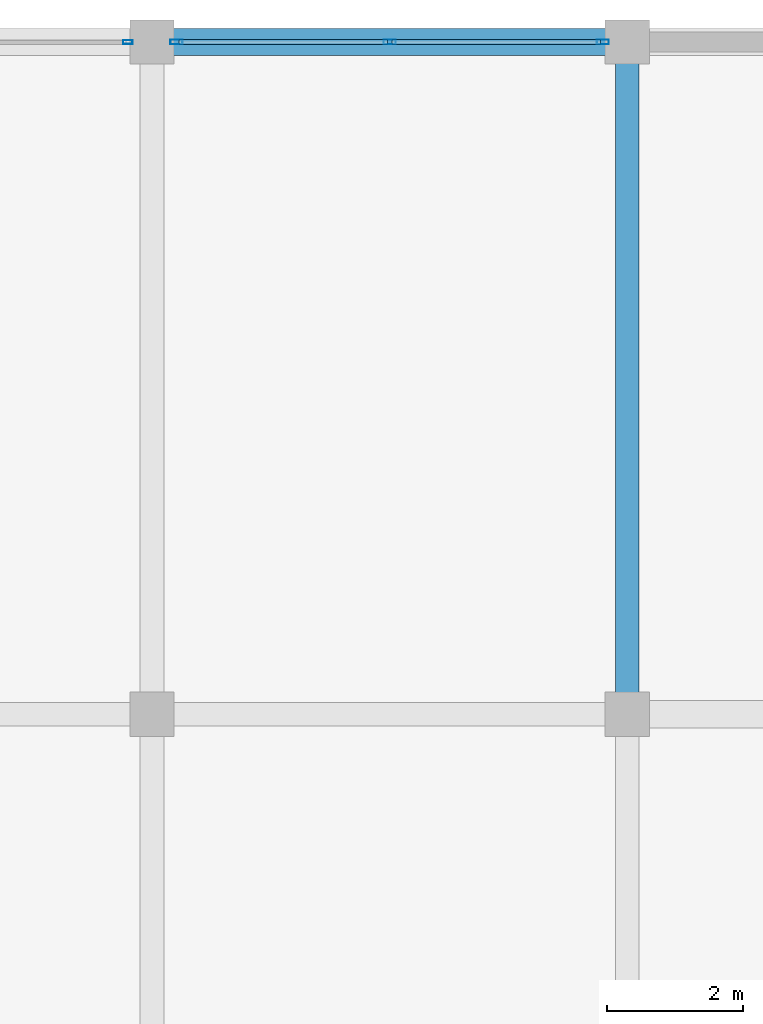
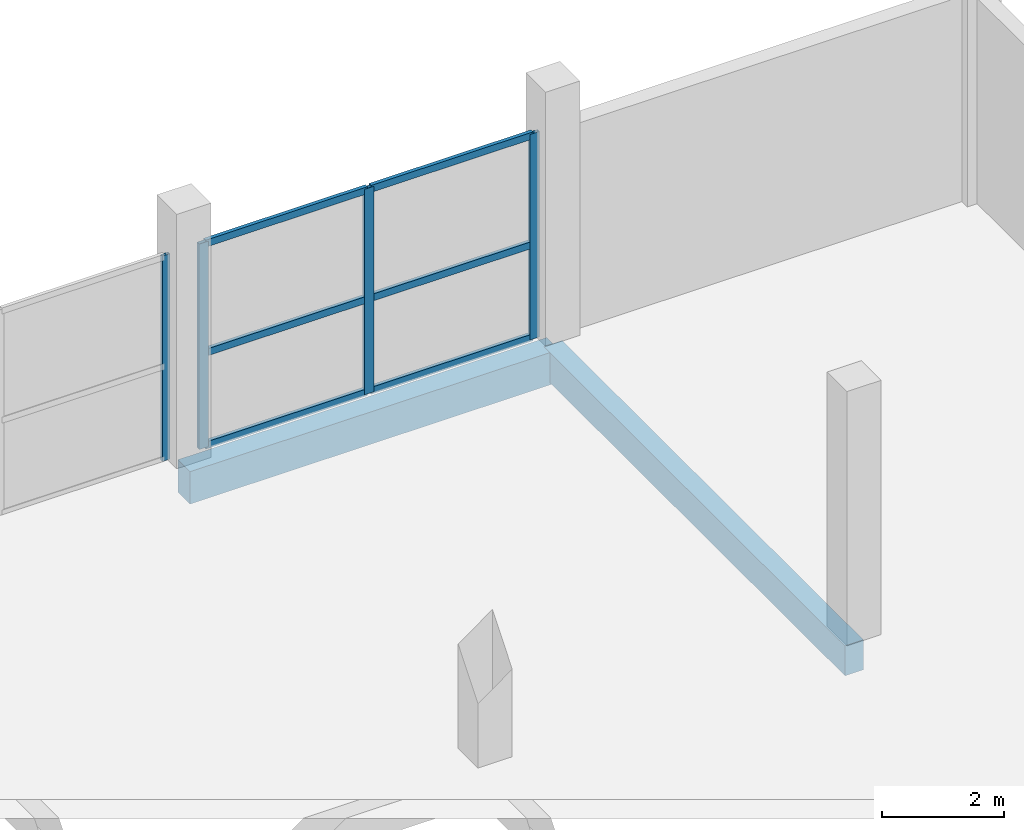
# One storey, part 42 of 66: 10 members, 2 beams, 2 elements without a shape of their own.
"""IFC4 building model written with IfcOpenShell, lengths in metres."""

from ifc_helpers import new_model, si_unit, direction, frame, origin, origin_2d, place, context, subcontext, project, spatial, rectangle, hollow_rectangle, extrude, material, layer, layer_set, material_profile, profile_set, type_object, element, aggregate, save


model = new_model("IFC4")

# Units and contexts
model_context = context("Model", 3, precision=1e-05, world=origin(), true_north=direction((0.0, 1.0)))
body_context = subcontext(model_context, "Body", "Model", "MODEL_VIEW")
ifc_project = project(units=[si_unit("LENGTHUNIT", "METRE"), si_unit("AREAUNIT", "SQUARE_METRE"), si_unit("VOLUMEUNIT", "CUBIC_METRE"), si_unit("PLANEANGLEUNIT", "RADIAN"), si_unit("MASSUNIT", "GRAM", prefix="KILO")], contexts=[model_context])

# Site, building, storey
site_placement = place(None, origin())
site = spatial("IfcSite", under=ifc_project, at=site_placement, CompositionType="ELEMENT")
building_placement = place(site_placement, origin())
building = spatial("IfcBuilding", under=site, at=building_placement, Name="Sillaruma Civic Art Gallery", CompositionType="ELEMENT")
storey_placement = place(building_placement, frame((0.0, 0.0, 57.1201171875)))
storey = spatial("IfcBuildingStorey", under=building, at=storey_placement, Name="L11", CompositionType="ELEMENT", Elevation=57.1201171875)

# Beams
ifc_material_1 = material(Name="Concrete H35 (35 MPa)", Category="concrete")
ifc_material_profile_1 = material_profile(ifc_material_1, rectangle(XDim=0.35009765625, YDim=0.60009765625, at=origin_2d()), Name="RCB350x600")
ifc_profile_set_1 = profile_set([ifc_material_profile_1], Name="Concrete H35 (35 MPa)")
beam_type_1 = type_object("IfcBeamType", Name="BM-BEAM-RCB350x600", PredefinedType="BEAM", material=ifc_profile_set_1)
beam_1_placement = place(storey_placement, frame((84.0, 89.10009765625, -0.550048828125), z_axis=(0.0, 1.0, 0.0), x_axis=(-1.0, 0.0, 0.0)))
element("IfcBeam", 1, at=beam_1_placement, inside=storey, type_object=beam_type_1, Name="Beam BM-06 (L10:J:10-11)", PredefinedType="BEAM", context=body_context, shape_type="SweptSolid", body=[
    extrude(rectangle(XDim=0.35009765625, YDim=0.60009765625, at=origin_2d()), origin(), (0.0, 0.0, 1.0), 9.89990234375),
])
ifc_material_profile_2 = material_profile(ifc_material_1, rectangle(XDim=0.39990234375, YDim=0.64990234375, at=origin_2d()), Name="RCB400x650")
ifc_profile_set_2 = profile_set([ifc_material_profile_2], Name="Concrete H35 (35 MPa)")
beam_type_2 = type_object("IfcBeamType", Name="BM-SPANDREL-RCB400x650", PredefinedType="SPANDREL", material=ifc_profile_set_2)
beam_2_placement = place(storey_placement, frame((77.0, 99.0, -0.5751953125), z_axis=(1.0, 0.0, 0.0), x_axis=(0.0, 1.0, 0.0)))
element("IfcBeam", 2, at=beam_2_placement, inside=storey, type_object=beam_type_2, Name="Beam BS-02 (L10:11:H-J)", PredefinedType="SPANDREL", context=body_context, shape_type="SweptSolid", body=[
    extrude(rectangle(XDim=0.39990234375, YDim=0.64990234375, at=origin_2d()), origin(), (0.0, 0.0, 1.0), 7.0),
])

# Curtain wall, member
ifc_material_2 = material(Name="Thermally Broken Extruded Aluminium 6063-T6", Category="aluminium")
ifc_layer_1 = layer(ifc_material_2, 0.139892578125, Name="Thermally Broken Extruded Aluminium 6063-T6")
ifc_layer_set_1 = layer_set([ifc_layer_1], Name="Thermally Broken Extruded Aluminium 6063-T6")
curtain_wall_type_1 = type_object("IfcCurtainWallType", Name="CW-UNI-76", PredefinedType="NOTDEFINED", material=ifc_layer_set_1)
curtain_wall_1_placement = place(storey_placement, origin())
curtain_wall_1 = element("IfcCurtainWall", 3, at=curtain_wall_1_placement, inside=storey, type_object=curtain_wall_type_1, Name="Unitised Curtain Wall CW-76 (CW-L11-WBN-2)", PredefinedType="NOTDEFINED")
ifc_material_profile_3 = material_profile(ifc_material_2, hollow_rectangle(XDim=0.06005859375, YDim=0.139892578125, WallThickness=0.00341796875, at=origin_2d()), Name="CWM60x140")
ifc_profile_set_3 = profile_set([ifc_material_profile_3], Name="Thermally Broken Extruded Aluminium 6063-T6")
member_type_1 = type_object("IfcMemberType", Name="MEM-MUL-CWM60x140", PredefinedType="MULLION", material=ifc_profile_set_3)
member_1_placement = place(storey_placement, frame((76.64501953125, 99.0, 0.0), z_axis=(0.0, 0.0, 1.0), x_axis=(0.0, 1.0, 0.0)))
member_1 = element("IfcMember", 4, at=member_1_placement, type_object=member_type_1, Name="CW-76 mullion 3", PredefinedType="MULLION", context=body_context, shape_type="SweptSolid", body=[
    extrude(hollow_rectangle(XDim=0.06005859375, YDim=0.139892578125, WallThickness=0.00341796875, at=origin_2d()), origin(), (0.0, 0.0, 1.0), 4.119873046875),
])
aggregate(curtain_wall_1, [member_1])

# Curtain wall, members
ifc_layer_2 = layer(ifc_material_2, 0.179931640625, Name="Thermally Broken Extruded Aluminium 6063-T6")
ifc_layer_set_2 = layer_set([ifc_layer_2], Name="Thermally Broken Extruded Aluminium 6063-T6")
curtain_wall_type_2 = type_object("IfcCurtainWallType", Name="CW-UNI-86", PredefinedType="NOTDEFINED", material=ifc_layer_set_2)
curtain_wall_2_placement = place(storey_placement, origin())
curtain_wall_2 = element("IfcCurtainWall", 5, at=curtain_wall_2_placement, inside=storey, type_object=curtain_wall_type_2, Name="Unitised Curtain Wall CW-86 (CW-L11-WBN-3)", PredefinedType="NOTDEFINED")
ifc_material_profile_4 = material_profile(ifc_material_2, hollow_rectangle(XDim=0.070068359375, YDim=0.179931640625, WallThickness=0.00390625, at=origin_2d()), Name="CWM70x180")
ifc_profile_set_4 = profile_set([ifc_material_profile_4], Name="Thermally Broken Extruded Aluminium 6063-T6")
member_type_2 = type_object("IfcMemberType", Name="MEM-MUL-CWM70x180", PredefinedType="MULLION", material=ifc_profile_set_4)
member_2_placement = place(storey_placement, frame((77.360107421875, 99.0, 0.0), z_axis=(0.0, 0.0, 1.0), x_axis=(0.0, 1.0, 0.0)))
member_2 = element("IfcMember", 6, at=member_2_placement, type_object=member_type_2, Name="CW-86 mullion 1", PredefinedType="MULLION", context=body_context, shape_type="SweptSolid", body=[
    extrude(hollow_rectangle(XDim=0.070068359375, YDim=0.179931640625, WallThickness=0.00390625, at=origin_2d()), origin(), (0.0, 0.0, 1.0), 4.119873046875),
])
member_3_placement = place(storey_placement, frame((80.5, 99.0, 0.0), z_axis=(0.0, 0.0, 1.0), x_axis=(0.0, 1.0, 0.0)))
member_3 = element("IfcMember", 7, at=member_3_placement, type_object=member_type_2, Name="CW-86 mullion 2", PredefinedType="MULLION", context=body_context, shape_type="SweptSolid", body=[
    extrude(hollow_rectangle(XDim=0.070068359375, YDim=0.179931640625, WallThickness=0.00390625, at=origin_2d()), origin(), (0.0, 0.0, 1.0), 4.119873046875),
])
member_4_placement = place(storey_placement, frame((83.639892578125, 99.0, 0.0), z_axis=(0.0, 0.0, 1.0), x_axis=(0.0, 1.0, 0.0)))
member_4 = element("IfcMember", 8, at=member_4_placement, type_object=member_type_2, Name="CW-86 mullion 3", PredefinedType="MULLION", context=body_context, shape_type="SweptSolid", body=[
    extrude(hollow_rectangle(XDim=0.070068359375, YDim=0.179931640625, WallThickness=0.00390625, at=origin_2d()), origin(), (0.0, 0.0, 1.0), 4.119873046875),
])
ifc_material_profile_5 = material_profile(ifc_material_2, hollow_rectangle(XDim=0.070068359375, YDim=0.139892578125, WallThickness=0.00390625, at=origin_2d()), Name="CWT70x140")
ifc_profile_set_5 = profile_set([ifc_material_profile_5], Name="Thermally Broken Extruded Aluminium 6063-T6")
member_type_3 = type_object("IfcMemberType", Name="MEM-TRN-CWT70x140", PredefinedType="USERDEFINED", material=ifc_profile_set_5)
member_5_placement = place(storey_placement, frame((77.39501953125, 99.0, 0.034912109375), z_axis=(1.0, 0.0, 0.0), x_axis=(0.0, 1.0, 0.0)))
member_5 = element("IfcMember", 9, at=member_5_placement, type_object=member_type_3, Name="CW-86 transom 1.1", ObjectType="TRANSOM", PredefinedType="USERDEFINED", context=body_context, shape_type="SweptSolid", body=[
    extrude(hollow_rectangle(XDim=0.070068359375, YDim=0.139892578125, WallThickness=0.00390625, at=origin_2d()), origin(), (0.0, 0.0, 1.0), 3.070068359375),
])
member_6_placement = place(storey_placement, frame((77.39501953125, 99.0, 1.89501953125), z_axis=(1.0, 0.0, 0.0), x_axis=(0.0, 1.0, 0.0)))
member_6 = element("IfcMember", 10, at=member_6_placement, type_object=member_type_3, Name="CW-86 transom 1.2", ObjectType="TRANSOM", PredefinedType="USERDEFINED", context=body_context, shape_type="SweptSolid", body=[
    extrude(hollow_rectangle(XDim=0.070068359375, YDim=0.139892578125, WallThickness=0.00390625, at=origin_2d()), origin(), (0.0, 0.0, 1.0), 3.070068359375),
])
member_7_placement = place(storey_placement, frame((77.39501953125, 99.0, 4.0849609375), z_axis=(1.0, 0.0, 0.0), x_axis=(0.0, 1.0, 0.0)))
member_7 = element("IfcMember", 11, at=member_7_placement, type_object=member_type_3, Name="CW-86 transom 1.3", ObjectType="TRANSOM", PredefinedType="USERDEFINED", context=body_context, shape_type="SweptSolid", body=[
    extrude(hollow_rectangle(XDim=0.070068359375, YDim=0.139892578125, WallThickness=0.00390625, at=origin_2d()), origin(), (0.0, 0.0, 1.0), 3.070068359375),
])
member_8_placement = place(storey_placement, frame((80.534912109375, 99.0, 0.034912109375), z_axis=(1.0, 0.0, 0.0), x_axis=(0.0, 1.0, 0.0)))
member_8 = element("IfcMember", 12, at=member_8_placement, type_object=member_type_3, Name="CW-86 transom 2.1", ObjectType="TRANSOM", PredefinedType="USERDEFINED", context=body_context, shape_type="SweptSolid", body=[
    extrude(hollow_rectangle(XDim=0.070068359375, YDim=0.139892578125, WallThickness=0.00390625, at=origin_2d()), origin(), (0.0, 0.0, 1.0), 3.070068359375),
])
member_9_placement = place(storey_placement, frame((80.534912109375, 99.0, 1.89501953125), z_axis=(1.0, 0.0, 0.0), x_axis=(0.0, 1.0, 0.0)))
member_9 = element("IfcMember", 13, at=member_9_placement, type_object=member_type_3, Name="CW-86 transom 2.2", ObjectType="TRANSOM", PredefinedType="USERDEFINED", context=body_context, shape_type="SweptSolid", body=[
    extrude(hollow_rectangle(XDim=0.070068359375, YDim=0.139892578125, WallThickness=0.00390625, at=origin_2d()), origin(), (0.0, 0.0, 1.0), 3.070068359375),
])
member_10_placement = place(storey_placement, frame((80.534912109375, 99.0, 4.0849609375), z_axis=(1.0, 0.0, 0.0), x_axis=(0.0, 1.0, 0.0)))
member_10 = element("IfcMember", 14, at=member_10_placement, type_object=member_type_3, Name="CW-86 transom 2.3", ObjectType="TRANSOM", PredefinedType="USERDEFINED", context=body_context, shape_type="SweptSolid", body=[
    extrude(hollow_rectangle(XDim=0.070068359375, YDim=0.139892578125, WallThickness=0.00390625, at=origin_2d()), origin(), (0.0, 0.0, 1.0), 3.070068359375),
])
aggregate(curtain_wall_2, [member_2, member_3, member_4, member_5, member_6, member_7, member_8, member_9, member_10])

save(model, "model.ifc")
